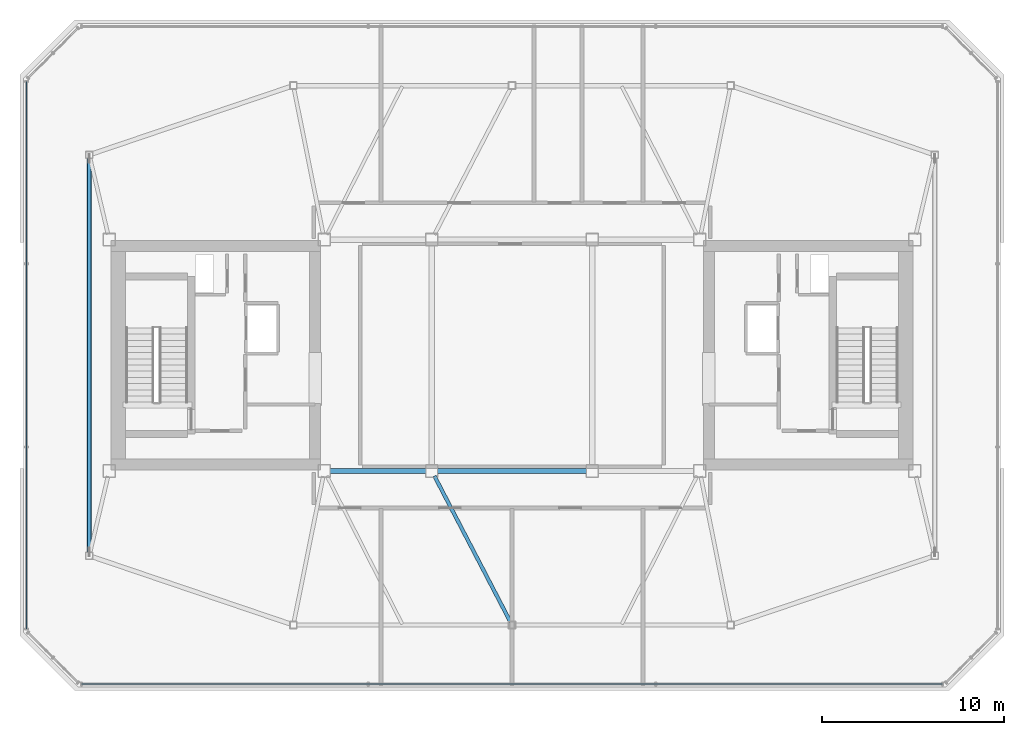
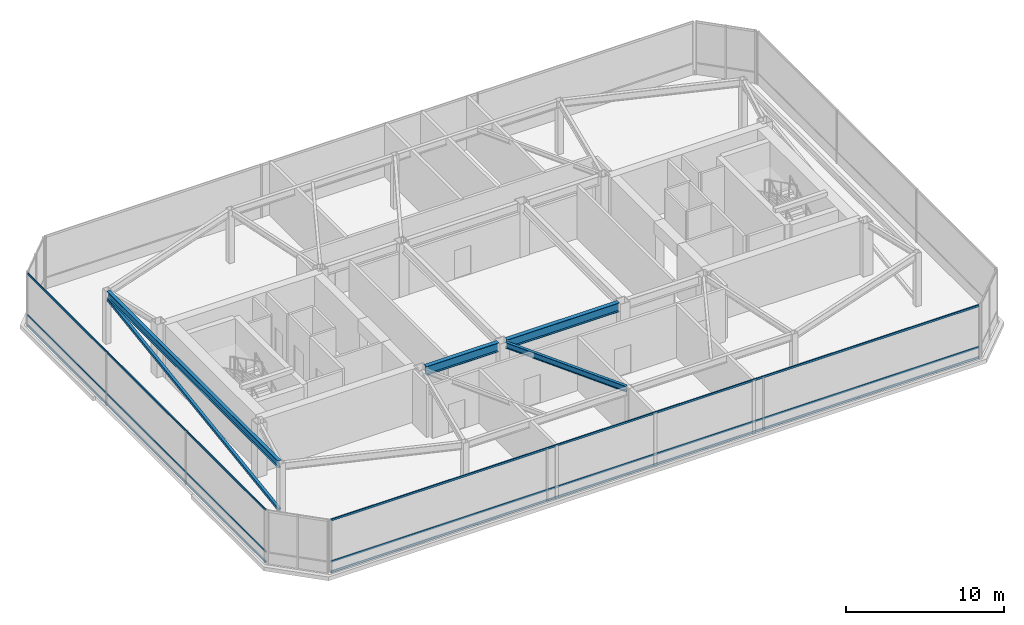
# One storey, part 5 of 22: 7 members, 4 beams, 2 elements without a shape of their own.
"""IFC4 building model written with IfcOpenShell, lengths in metres."""

from ifc_helpers import new_model, si_unit, direction, frame, origin, origin_2d, place, context, subcontext, project, spatial, hollow_rectangle, i_section, extrude, material, layer, layer_set, material_profile, profile_set, type_object, element, aggregate, save


model = new_model("IFC4")

# Units and contexts
model_context = context("Model", 3, precision=1e-05, world=origin(), true_north=direction((0.0, 1.0)))
body_context = subcontext(model_context, "Body", "Model", "MODEL_VIEW")
ifc_project = project(units=[si_unit("LENGTHUNIT", "METRE"), si_unit("AREAUNIT", "SQUARE_METRE"), si_unit("VOLUMEUNIT", "CUBIC_METRE"), si_unit("PLANEANGLEUNIT", "RADIAN"), si_unit("MASSUNIT", "GRAM", prefix="KILO")], contexts=[model_context])

# Site, building, storey
site_placement = place(None, origin())
site = spatial("IfcSite", under=ifc_project, at=site_placement, CompositionType="ELEMENT")
building_placement = place(site_placement, origin())
building = spatial("IfcBuilding", under=site, at=building_placement, Name="Tavrogorsk Clinical Tower", CompositionType="ELEMENT")
storey_placement = place(building_placement, frame((0.0, 0.0, 339.800048828125)))
storey = spatial("IfcBuildingStorey", under=building, at=storey_placement, Name="L79", CompositionType="ELEMENT", Elevation=339.800048828125)

# Member
ifc_material_1 = material(Name="Structural steel S355", Category="steel")
ifc_material_profile_1 = material_profile(ifc_material_1, hollow_rectangle(XDim=0.199951171875, YDim=0.199951171875, WallThickness=0.010009765625, at=origin_2d()), Name="SHS-200x200x10")
ifc_profile_set_1 = profile_set([ifc_material_profile_1], Name="Structural steel S355")
member_type_1 = type_object("IfcMemberType", Name="CrownBrace_SHS200", PredefinedType="BRACE", material=ifc_profile_set_1)
member_1_placement = place(storey_placement, frame((-23.199951171875, -10.792236328125, 0.32958984375), z_axis=(0.0, 0.989903983744, 0.141739560346), x_axis=(-1.0, 0.0, 0.0)))
element("IfcMember", 1, at=member_1_placement, inside=storey, type_object=member_type_1, Name="L79 Crown Drum Brace 1", PredefinedType="BRACE", context=body_context, shape_type="SweptSolid", body=[
    extrude(hollow_rectangle(XDim=0.199951171875, YDim=0.199951171875, WallThickness=0.010009765625, at=origin_2d()), origin(), (0.0, 0.0, 1.0), 21.8046875),
])

# Curtain wall, members
ifc_material_2 = material(Name="Anodised aluminium and triple IGU glazing", Category="aluminium")
ifc_layer = layer(ifc_material_2, 0.179931640625)
ifc_layer_set = layer_set([ifc_layer], Name="Anodised aluminium and triple IGU glazing")
curtain_wall_type = type_object("IfcCurtainWallType", Name="CW6_TmdLantern", PredefinedType="NOTDEFINED", material=ifc_layer_set)
curtain_wall_1_placement = place(storey_placement, origin())
curtain_wall_1 = element("IfcCurtainWall", 2, at=curtain_wall_1_placement, inside=storey, type_object=curtain_wall_type, Name="L79 Curtain Wall CW-L79-DRUM-2", PredefinedType="NOTDEFINED")
ifc_material_3 = material(Name="Anodised aluminium alloy AW-6060", Category="aluminium")
ifc_material_profile_2 = material_profile(ifc_material_3, hollow_rectangle(XDim=0.074951171875, YDim=0.14990234375, WallThickness=0.0048828125, at=origin_2d()), Name="RHS-150x75x5")
ifc_profile_set_2 = profile_set([ifc_material_profile_2], Name="Anodised aluminium alloy AW-6060")
member_type_2 = type_object("IfcMemberType", Name="CwTransom_150x75", PredefinedType="USERDEFINED", material=ifc_profile_set_2)
member_2_placement = place(storey_placement, frame((-26.639892578125, -15.02880859375, 0.050048828125), z_axis=(0.0, 1.0, 0.0), x_axis=(-1.0, 0.0, 0.0)))
member_2 = element("IfcMember", 3, at=member_2_placement, type_object=member_type_2, Name="CW-L79-DRUM-2 Transom 1", ObjectType="TRANSOM", PredefinedType="USERDEFINED", context=body_context, shape_type="SweptSolid", body=[
    extrude(hollow_rectangle(XDim=0.074951171875, YDim=0.14990234375, WallThickness=0.0048828125, at=origin_2d()), origin(), (0.0, 0.0, 1.0), 30.0576171875),
])
member_3_placement = place(storey_placement, frame((-26.639892578125, -15.02880859375, 0.849853515625), z_axis=(0.0, 1.0, 0.0), x_axis=(-1.0, 0.0, 0.0)))
member_3 = element("IfcMember", 4, at=member_3_placement, type_object=member_type_2, Name="CW-L79-DRUM-2 Transom 2", ObjectType="TRANSOM", PredefinedType="USERDEFINED", context=body_context, shape_type="SweptSolid", body=[
    extrude(hollow_rectangle(XDim=0.074951171875, YDim=0.14990234375, WallThickness=0.0048828125, at=origin_2d()), origin(), (0.0, 0.0, 1.0), 30.0576171875),
])
member_4_placement = place(storey_placement, frame((-26.639892578125, -15.02880859375, 4.050048828125), z_axis=(0.0, 1.0, 0.0), x_axis=(-1.0, 0.0, 0.0)))
member_4 = element("IfcMember", 5, at=member_4_placement, type_object=member_type_2, Name="CW-L79-DRUM-2 Transom 3", ObjectType="TRANSOM", PredefinedType="USERDEFINED", context=body_context, shape_type="SweptSolid", body=[
    extrude(hollow_rectangle(XDim=0.074951171875, YDim=0.14990234375, WallThickness=0.0048828125, at=origin_2d()), origin(), (0.0, 0.0, 1.0), 30.0576171875),
])
aggregate(curtain_wall_1, [member_2, member_3, member_4])

curtain_wall_2_placement = place(storey_placement, origin())
curtain_wall_2 = element("IfcCurtainWall", 6, at=curtain_wall_2_placement, inside=storey, type_object=curtain_wall_type, Name="L79 Curtain Wall CW-L79-DRUM-8", PredefinedType="NOTDEFINED")
member_5_placement = place(storey_placement, frame((23.628662109375, -18.0400390625, 0.050048828125), z_axis=(-1.0, 0.0, 0.0), x_axis=(0.0, -1.0, 0.0)))
member_5 = element("IfcMember", 7, at=member_5_placement, type_object=member_type_2, Name="CW-L79-DRUM-8 Transom 1", ObjectType="TRANSOM", PredefinedType="USERDEFINED", context=body_context, shape_type="SweptSolid", body=[
    extrude(hollow_rectangle(XDim=0.074951171875, YDim=0.14990234375, WallThickness=0.0048828125, at=origin_2d()), origin(), (0.0, 0.0, 1.0), 47.25732421875),
])
member_6_placement = place(storey_placement, frame((23.628662109375, -18.0400390625, 0.849853515625), z_axis=(-1.0, 0.0, 0.0), x_axis=(0.0, -1.0, 0.0)))
member_6 = element("IfcMember", 8, at=member_6_placement, type_object=member_type_2, Name="CW-L79-DRUM-8 Transom 2", ObjectType="TRANSOM", PredefinedType="USERDEFINED", context=body_context, shape_type="SweptSolid", body=[
    extrude(hollow_rectangle(XDim=0.074951171875, YDim=0.14990234375, WallThickness=0.0048828125, at=origin_2d()), origin(), (0.0, 0.0, 1.0), 47.25732421875),
])
member_7_placement = place(storey_placement, frame((23.628662109375, -18.0400390625, 4.050048828125), z_axis=(-1.0, 0.0, 0.0), x_axis=(0.0, -1.0, 0.0)))
member_7 = element("IfcMember", 9, at=member_7_placement, type_object=member_type_2, Name="CW-L79-DRUM-8 Transom 3", ObjectType="TRANSOM", PredefinedType="USERDEFINED", context=body_context, shape_type="SweptSolid", body=[
    extrude(hollow_rectangle(XDim=0.074951171875, YDim=0.14990234375, WallThickness=0.0048828125, at=origin_2d()), origin(), (0.0, 0.0, 1.0), 47.25732421875),
])
aggregate(curtain_wall_2, [member_5, member_6, member_7])

# Beams
ifc_material_4 = material(Name="Structural steel S355", Category="steel")
ifc_material_profile_3 = material_profile(ifc_material_4, i_section(OverallWidth=0.199951171875, OverallDepth=0.449951171875, WebThickness=0.011474609375, FlangeThickness=0.01806640625, at=origin_2d()), Name="B-450x200x11.5x18")
ifc_profile_set_3 = profile_set([ifc_material_profile_3], Name="Structural steel S355")
beam_type_1 = type_object("IfcBeamType", Name="FloorBeam_B450", PredefinedType="BEAM", material=ifc_profile_set_3)
beam_1_placement = place(storey_placement, frame((-4.2568359375, -6.625, 3.875), z_axis=(0.461855081218, -0.886955401332, 0.0), x_axis=(0.886955401332, 0.461855081218, 0.0)))
element("IfcBeam", 10, at=beam_1_placement, inside=storey, type_object=beam_type_1, Name="L79 Crown Radial Beam 02", PredefinedType="BEAM", context=body_context, shape_type="SweptSolid", body=[
    extrude(i_section(OverallWidth=0.199951171875, OverallDepth=0.449951171875, WebThickness=0.011474609375, FlangeThickness=0.01806640625, at=origin_2d()), origin(), (0.0, 0.0, 1.0), 9.027099609375),
])
ifc_material_5 = material(Name="Structural steel S390", Category="steel")
ifc_material_profile_4 = material_profile(ifc_material_5, i_section(OverallWidth=0.300048828125, OverallDepth=0.699951171875, WebThickness=0.01708984375, FlangeThickness=0.028076171875, at=origin_2d()), Name="B-700x300x17x28")
ifc_profile_set_4 = profile_set([ifc_material_profile_4], Name="Structural steel S390")
beam_type_2 = type_object("IfcBeamType", Name="PrimaryGirder_B700", PredefinedType="USERDEFINED", material=ifc_profile_set_4)
beam_2_placement = place(storey_placement, frame((-9.989990234375, -6.35009765625, 3.75), z_axis=(1.0, 0.0, 0.0), x_axis=(0.0, 1.0, 0.0)))
element("IfcBeam", 11, at=beam_2_placement, inside=storey, type_object=beam_type_2, Name="L79 Primary Spine Girder MG-01", ObjectType="GIRDER", PredefinedType="USERDEFINED", context=body_context, shape_type="SweptSolid", body=[
    extrude(i_section(OverallWidth=0.300048828125, OverallDepth=0.699951171875, WebThickness=0.01708984375, FlangeThickness=0.028076171875, at=origin_2d()), origin(), (0.0, 0.0, 1.0), 5.280029296875),
])
beam_3_placement = place(storey_placement, frame((-4.090087890625, -6.35009765625, 3.75), z_axis=(1.0, 0.0, 0.0), x_axis=(0.0, 1.0, 0.0)))
element("IfcBeam", 12, at=beam_3_placement, inside=storey, type_object=beam_type_2, Name="L79 Primary Spine Girder MG-03", ObjectType="GIRDER", PredefinedType="USERDEFINED", context=body_context, shape_type="SweptSolid", body=[
    extrude(i_section(OverallWidth=0.300048828125, OverallDepth=0.699951171875, WebThickness=0.01708984375, FlangeThickness=0.028076171875, at=origin_2d()), origin(), (0.0, 0.0, 1.0), 8.18017578125),
])
ifc_material_6 = material(Name="Structural steel S390", Category="steel")
ifc_material_profile_5 = material_profile(ifc_material_6, i_section(OverallWidth=0.239990234375, OverallDepth=0.550048828125, WebThickness=0.013916015625, FlangeThickness=0.02197265625, at=origin_2d()), Name="B-550x240x14x22")
ifc_profile_set_5 = profile_set([ifc_material_profile_5], Name="Structural steel S390")
beam_type_3 = type_object("IfcBeamType", Name="SpandrelBeam_B550", PredefinedType="SPANDREL", material=ifc_profile_set_5)
beam_4_placement = place(storey_placement, frame((-23.199951171875, 10.81005859375, 3.824951171875), z_axis=(0.0, -1.0, 0.0), x_axis=(1.0, 0.0, 0.0)))
element("IfcBeam", 13, at=beam_4_placement, inside=storey, type_object=beam_type_3, Name="L79 Crown Spandrel Beam 09", PredefinedType="SPANDREL", context=body_context, shape_type="SweptSolid", body=[
    extrude(i_section(OverallWidth=0.239990234375, OverallDepth=0.550048828125, WebThickness=0.013916015625, FlangeThickness=0.02197265625, at=origin_2d()), origin(), (0.0, 0.0, 1.0), 21.6201171875),
])

save(model, "model.ifc")
